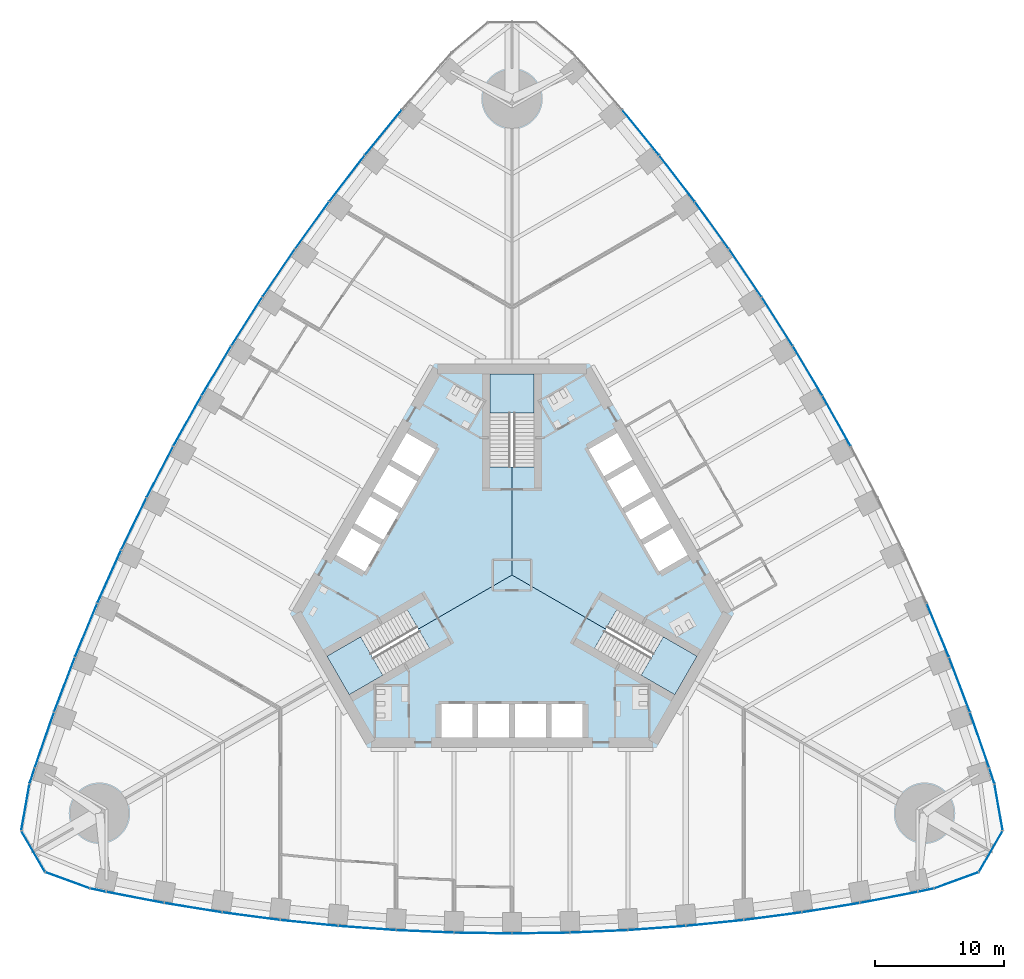
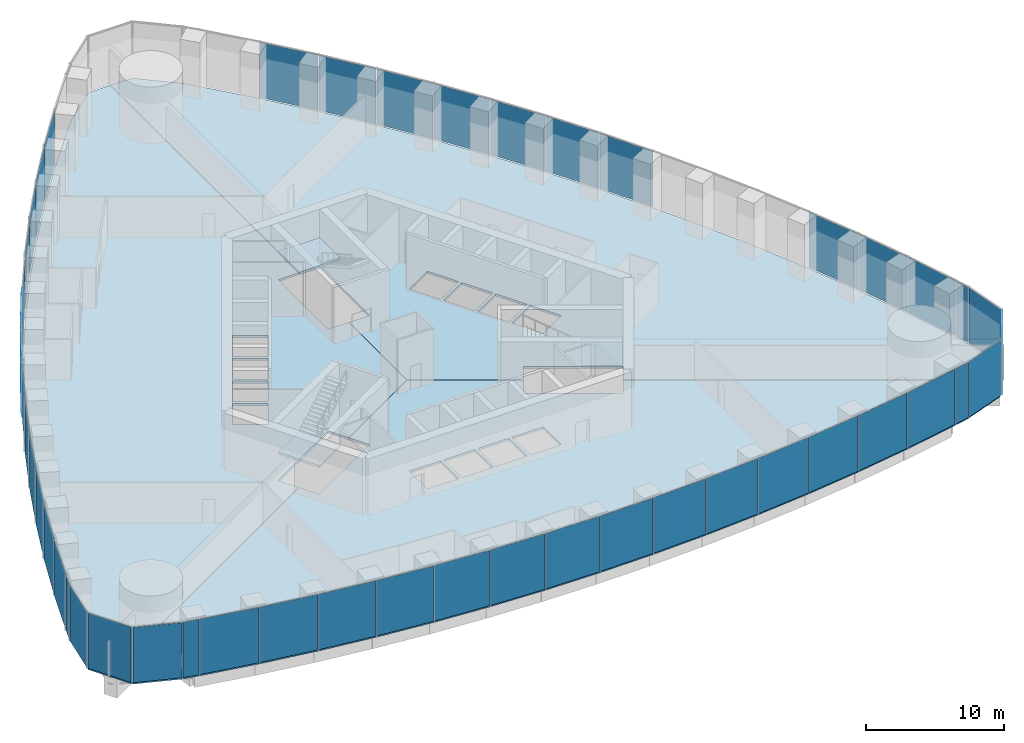
# One storey, part 13 of 21: 47 plates, 6 slabs, 8 elements without a shape of their own.
"""IFC4 building model written with IfcOpenShell, lengths in metres."""

from ifc_helpers import new_model, si_unit, direction, frame, origin, origin_2d, place, context, subcontext, project, spatial, polyline, rectangle, outline, extrude, material, layer, layer_set, type_object, element, aggregate, save


model = new_model("IFC4")

# Units and contexts
model_context = context("Model", 3, precision=1e-05, world=origin(), true_north=direction((0.0, 1.0)))
body_context = subcontext(model_context, "Body", "Model", "MODEL_VIEW")
ifc_project = project(units=[si_unit("LENGTHUNIT", "METRE"), si_unit("AREAUNIT", "SQUARE_METRE"), si_unit("VOLUMEUNIT", "CUBIC_METRE"), si_unit("PLANEANGLEUNIT", "RADIAN"), si_unit("MASSUNIT", "GRAM", prefix="KILO")], contexts=[model_context])

# Site, building, storey
site_placement = place(None, origin())
site = spatial("IfcSite", under=ifc_project, at=site_placement, CompositionType="ELEMENT")
building_placement = place(site_placement, origin())
building = spatial("IfcBuilding", under=site, at=building_placement, Name="Trefoil Bronze Tower", CompositionType="ELEMENT")
storey_placement = place(building_placement, frame((0.0, 0.0, 11.5)))
storey = spatial("IfcBuildingStorey", under=building, at=storey_placement, Name="L02", CompositionType="ELEMENT", Elevation=11.5)

# Curtain wall, plates
ifc_material_1 = material(Name="Tinted solar-control glass", Category="glass")
curtain_wall_type_1 = type_object("IfcCurtainWallType", Name="Bronze podium storefront curtain wall", PredefinedType="USERDEFINED", material=ifc_material_1)
curtain_wall_1_placement = place(storey_placement, origin())
curtain_wall_1 = element("IfcCurtainWall", 1, at=curtain_wall_1_placement, inside=storey, type_object=curtain_wall_type_1, Name="CW-C L02 F1", ObjectType="CURTAIN WALL", PredefinedType="USERDEFINED")
ifc_material_2 = material(Name="Tinted solar-control glass", Category="glass")
ifc_layer_1 = layer(ifc_material_2, 0.030029296875)
ifc_layer_set_1 = layer_set([ifc_layer_1], Name="Bronze podium storefront curtain wall glass panel")
plate_type_1 = type_object("IfcPlateType", Name="Bronze podium storefront curtain wall glass panel", PredefinedType="CURTAIN_PANEL", material=ifc_layer_set_1)
plate_1_placement = place(storey_placement, frame((-32.15185546875, -24.480224609375, 0.0), z_axis=(0.0, 0.0, 1.0), x_axis=(0.978302717041, -0.207180582657, 0.0)))
plate_1 = element("IfcPlate", 2, at=plate_1_placement, type_object=plate_type_1, Name="CW-C L02 F1 panel 1", PredefinedType="CURTAIN_PANEL", context=body_context, shape_type="SweptSolid", body=[
    extrude(rectangle(XDim=1.23046875, YDim=0.030029296875, at=origin_2d()), origin(), (0.0, 0.0, 1.0), 4.8798828125),
])
plate_2_placement = place(storey_placement, frame((-29.268798828125, -25.04638671875, 0.0), z_axis=(0.0, 0.0, 1.0), x_axis=(0.982049823817, -0.188621694249, 0.0)))
plate_2 = element("IfcPlate", 3, at=plate_2_placement, type_object=plate_type_1, Name="CW-C L02 F1 panel 2", PredefinedType="CURTAIN_PANEL", context=body_context, shape_type="SweptSolid", body=[
    extrude(rectangle(XDim=4.522216796875, YDim=0.030029296875, at=origin_2d()), origin(), (0.0, 0.0, 1.0), 4.8798828125),
])
plate_3_placement = place(storey_placement, frame((-24.765869140625, -25.8427734375, 0.0), z_axis=(0.0, 0.0, 1.0), x_axis=(0.987181315145, -0.159602791421, 0.0)))
plate_3 = element("IfcPlate", 4, at=plate_3_placement, type_object=plate_type_1, Name="CW-C L02 F1 panel 3", PredefinedType="CURTAIN_PANEL", context=body_context, shape_type="SweptSolid", body=[
    extrude(rectangle(XDim=4.49853515625, YDim=0.030029296875, at=origin_2d()), origin(), (0.0, 0.0, 1.0), 4.8798828125),
])
plate_4_placement = place(storey_placement, frame((-20.262939453125, -26.50341796875, 0.0), z_axis=(0.0, 0.0, 1.0), x_axis=(0.991437251591, -0.130583981243, 0.0)))
plate_4 = element("IfcPlate", 5, at=plate_4_placement, type_object=plate_type_1, Name="CW-C L02 F1 panel 4", PredefinedType="CURTAIN_PANEL", context=body_context, shape_type="SweptSolid", body=[
    extrude(rectangle(XDim=4.478759765625, YDim=0.030029296875, at=origin_2d()), origin(), (0.0, 0.0, 1.0), 4.8798828125),
])
plate_5_placement = place(storey_placement, frame((-15.76025390625, -27.02978515625, 0.0), z_axis=(0.0, 0.0, 1.0), x_axis=(0.994828880293, -0.101565244717, 0.0)))
plate_5 = element("IfcPlate", 6, at=plate_5_placement, type_object=plate_type_1, Name="CW-C L02 F1 panel 5", PredefinedType="CURTAIN_PANEL", context=body_context, shape_type="SweptSolid", body=[
    extrude(rectangle(XDim=4.46337890625, YDim=0.030029296875, at=origin_2d()), origin(), (0.0, 0.0, 1.0), 4.8798828125),
])
plate_6_placement = place(storey_placement, frame((-11.25732421875, -27.42333984375, 0.0), z_axis=(0.0, 0.0, 1.0), x_axis=(0.99736502647, -0.072546564177, 0.0)))
plate_6 = element("IfcPlate", 7, at=plate_6_placement, type_object=plate_type_1, Name="CW-C L02 F1 panel 6", PredefinedType="CURTAIN_PANEL", context=body_context, shape_type="SweptSolid", body=[
    extrude(rectangle(XDim=4.451904296875, YDim=0.030029296875, at=origin_2d()), origin(), (0.0, 0.0, 1.0), 4.8798828125),
])
plate_7_placement = place(storey_placement, frame((-6.75439453125, -27.685302734375, 0.0), z_axis=(0.0, 0.0, 1.0), x_axis=(0.999052210809, -0.043527922969, 0.0)))
plate_7 = element("IfcPlate", 8, at=plate_7_placement, type_object=plate_type_1, Name="CW-C L02 F1 panel 7", PredefinedType="CURTAIN_PANEL", context=body_context, shape_type="SweptSolid", body=[
    extrude(rectangle(XDim=4.4443359375, YDim=0.030029296875, at=origin_2d()), origin(), (0.0, 0.0, 1.0), 4.8798828125),
])
plate_8_placement = place(storey_placement, frame((-2.25146484375, -27.816162109375, 0.0), z_axis=(0.0, 0.0, 1.0), x_axis=(0.999894734493, -0.014509305083, 0.0)))
plate_8 = element("IfcPlate", 9, at=plate_8_placement, type_object=plate_type_1, Name="CW-C L02 F1 panel 8", PredefinedType="CURTAIN_PANEL", context=body_context, shape_type="SweptSolid", body=[
    extrude(rectangle(XDim=4.4404296875, YDim=0.030029296875, at=origin_2d()), origin(), (0.0, 0.0, 1.0), 4.8798828125),
])
plate_9_placement = place(storey_placement, frame((2.25146484375, -27.816162109375, 0.0), z_axis=(0.0, 0.0, 1.0), x_axis=(0.999894734493, 0.014509305083, 0.0)))
plate_9 = element("IfcPlate", 10, at=plate_9_placement, type_object=plate_type_1, Name="CW-C L02 F1 panel 9", PredefinedType="CURTAIN_PANEL", context=body_context, shape_type="SweptSolid", body=[
    extrude(rectangle(XDim=4.4404296875, YDim=0.030029296875, at=origin_2d()), origin(), (0.0, 0.0, 1.0), 4.8798828125),
])
plate_10_placement = place(storey_placement, frame((6.75439453125, -27.685302734375, 0.0), z_axis=(0.0, 0.0, 1.0), x_axis=(0.999052210809, 0.043527922969, 0.0)))
plate_10 = element("IfcPlate", 11, at=plate_10_placement, type_object=plate_type_1, Name="CW-C L02 F1 panel 10", PredefinedType="CURTAIN_PANEL", context=body_context, shape_type="SweptSolid", body=[
    extrude(rectangle(XDim=4.4443359375, YDim=0.030029296875, at=origin_2d()), origin(), (0.0, 0.0, 1.0), 4.8798828125),
])
plate_11_placement = place(storey_placement, frame((11.25732421875, -27.42333984375, 0.0), z_axis=(0.0, 0.0, 1.0), x_axis=(0.99736502647, 0.072546564177, 0.0)))
plate_11 = element("IfcPlate", 12, at=plate_11_placement, type_object=plate_type_1, Name="CW-C L02 F1 panel 11", PredefinedType="CURTAIN_PANEL", context=body_context, shape_type="SweptSolid", body=[
    extrude(rectangle(XDim=4.451904296875, YDim=0.030029296875, at=origin_2d()), origin(), (0.0, 0.0, 1.0), 4.8798828125),
])
plate_12_placement = place(storey_placement, frame((15.76025390625, -27.02978515625, 0.0), z_axis=(0.0, 0.0, 1.0), x_axis=(0.994828880293, 0.101565244717, 0.0)))
plate_12 = element("IfcPlate", 13, at=plate_12_placement, type_object=plate_type_1, Name="CW-C L02 F1 panel 12", PredefinedType="CURTAIN_PANEL", context=body_context, shape_type="SweptSolid", body=[
    extrude(rectangle(XDim=4.46337890625, YDim=0.030029296875, at=origin_2d()), origin(), (0.0, 0.0, 1.0), 4.8798828125),
])
plate_13_placement = place(storey_placement, frame((20.262939453125, -26.50341796875, 0.0), z_axis=(0.0, 0.0, 1.0), x_axis=(0.991437251591, 0.130583981243, 0.0)))
plate_13 = element("IfcPlate", 14, at=plate_13_placement, type_object=plate_type_1, Name="CW-C L02 F1 panel 13", PredefinedType="CURTAIN_PANEL", context=body_context, shape_type="SweptSolid", body=[
    extrude(rectangle(XDim=4.478759765625, YDim=0.030029296875, at=origin_2d()), origin(), (0.0, 0.0, 1.0), 4.8798828125),
])
plate_14_placement = place(storey_placement, frame((24.765869140625, -25.8427734375, 0.0), z_axis=(0.0, 0.0, 1.0), x_axis=(0.987181315145, 0.159602791421, 0.0)))
plate_14 = element("IfcPlate", 15, at=plate_14_placement, type_object=plate_type_1, Name="CW-C L02 F1 panel 14", PredefinedType="CURTAIN_PANEL", context=body_context, shape_type="SweptSolid", body=[
    extrude(rectangle(XDim=4.49853515625, YDim=0.030029296875, at=origin_2d()), origin(), (0.0, 0.0, 1.0), 4.8798828125),
])
plate_15_placement = place(storey_placement, frame((29.268798828125, -25.04638671875, 0.0), z_axis=(0.0, 0.0, 1.0), x_axis=(0.982049823817, 0.188621694249, 0.0)))
plate_15 = element("IfcPlate", 16, at=plate_15_placement, type_object=plate_type_1, Name="CW-C L02 F1 panel 15", PredefinedType="CURTAIN_PANEL", context=body_context, shape_type="SweptSolid", body=[
    extrude(rectangle(XDim=4.522216796875, YDim=0.030029296875, at=origin_2d()), origin(), (0.0, 0.0, 1.0), 4.8798828125),
])
plate_16_placement = place(storey_placement, frame((32.15185546875, -24.480224609375, 0.0), z_axis=(0.0, 0.0, 1.0), x_axis=(0.978302717041, 0.207180582657, 0.0)))
plate_16 = element("IfcPlate", 17, at=plate_16_placement, type_object=plate_type_1, Name="CW-C L02 F1 panel 16", PredefinedType="CURTAIN_PANEL", context=body_context, shape_type="SweptSolid", body=[
    extrude(rectangle(XDim=1.23046875, YDim=0.030029296875, at=origin_2d()), origin(), (0.0, 0.0, 1.0), 4.8798828125),
])
aggregate(curtain_wall_1, [plate_1, plate_2, plate_3, plate_4, plate_5, plate_6, plate_7, plate_8, plate_9, plate_10, plate_11, plate_12, plate_13, plate_14, plate_15, plate_16])

curtain_wall_2_placement = place(storey_placement, origin())
curtain_wall_2 = element("IfcCurtainWall", 18, at=curtain_wall_2_placement, inside=storey, type_object=curtain_wall_type_1, Name="CW-C L02 F2", ObjectType="CURTAIN WALL", PredefinedType="USERDEFINED")
plate_17_placement = place(storey_placement, frame((37.2763671875, -15.604248046875, 0.0), z_axis=(0.0, 0.0, 1.0), x_axis=(-0.309727710769, 0.950825296877, 0.0)))
plate_17 = element("IfcPlate", 19, at=plate_17_placement, type_object=plate_type_1, Name="CW-C L02 F2 panel 1", PredefinedType="CURTAIN_PANEL", context=body_context, shape_type="SweptSolid", body=[
    extrude(rectangle(XDim=1.23046875, YDim=0.030029296875, at=origin_2d()), origin(), (0.0, 0.0, 1.0), 4.8798828125),
])
plate_18_placement = place(storey_placement, frame((36.3251953125, -12.824462890625, 0.0), z_axis=(0.0, 0.0, 1.0), x_axis=(-0.327673732984, 0.944790942332, 0.0)))
plate_18 = element("IfcPlate", 20, at=plate_18_placement, type_object=plate_type_1, Name="CW-C L02 F2 panel 2", PredefinedType="CURTAIN_PANEL", context=body_context, shape_type="SweptSolid", body=[
    extrude(rectangle(XDim=4.522216796875, YDim=0.030029296875, at=origin_2d()), origin(), (0.0, 0.0, 1.0), 4.8798828125),
])
plate_19_placement = place(storey_placement, frame((34.763427734375, -8.526611328125, 0.0), z_axis=(0.0, 0.0, 1.0), x_axis=(-0.355370585687, 0.934725492767, 0.0)))
plate_19 = element("IfcPlate", 21, at=plate_19_placement, type_object=plate_type_1, Name="CW-C L02 F2 panel 3", PredefinedType="CURTAIN_PANEL", context=body_context, shape_type="SweptSolid", body=[
    extrude(rectangle(XDim=4.49853515625, YDim=0.030029296875, at=origin_2d()), origin(), (0.0, 0.0, 1.0), 4.8798828125),
])
plate_20_placement = place(storey_placement, frame((33.084228515625, -4.296630859375, 0.0), z_axis=(0.0, 0.0, 1.0), x_axis=(-0.382629580712, 0.923901836758, 0.0)))
plate_20 = element("IfcPlate", 22, at=plate_20_placement, type_object=plate_type_1, Name="CW-C L02 F2 panel 4", PredefinedType="CURTAIN_PANEL", context=body_context, shape_type="SweptSolid", body=[
    extrude(rectangle(XDim=4.478759765625, YDim=0.030029296875, at=origin_2d()), origin(), (0.0, 0.0, 1.0), 4.8798828125),
])
plate_21_placement = place(storey_placement, frame((25.215087890625, 11.958251953125, 0.0), z_axis=(0.0, 0.0, 1.0), x_axis=(-0.487381940453, 0.873188893722, 0.0)))
plate_21 = element("IfcPlate", 23, at=plate_21_placement, type_object=plate_type_1, Name="CW-C L02 F2 panel 8", PredefinedType="CURTAIN_PANEL", context=body_context, shape_type="SweptSolid", body=[
    extrude(rectangle(XDim=4.4404296875, YDim=0.030029296875, at=origin_2d()), origin(), (0.0, 0.0, 1.0), 4.8798828125),
])
plate_22_placement = place(storey_placement, frame((22.963623046875, 15.85791015625, 0.0), z_axis=(0.0, 0.0, 1.0), x_axis=(-0.51251279404, 0.858679588639, 0.0)))
plate_22 = element("IfcPlate", 24, at=plate_22_placement, type_object=plate_type_1, Name="CW-C L02 F2 panel 9", PredefinedType="CURTAIN_PANEL", context=body_context, shape_type="SweptSolid", body=[
    extrude(rectangle(XDim=4.4404296875, YDim=0.030029296875, at=origin_2d()), origin(), (0.0, 0.0, 1.0), 4.8798828125),
])
plate_23_placement = place(storey_placement, frame((20.598876953125, 19.692138671875, 0.0), z_axis=(0.0, 0.0, 1.0), x_axis=(-0.537222392469, 0.843440632783, 0.0)))
plate_23 = element("IfcPlate", 25, at=plate_23_placement, type_object=plate_type_1, Name="CW-C L02 F2 panel 10", PredefinedType="CURTAIN_PANEL", context=body_context, shape_type="SweptSolid", body=[
    extrude(rectangle(XDim=4.4443359375, YDim=0.030029296875, at=origin_2d()), origin(), (0.0, 0.0, 1.0), 4.8798828125),
])
plate_24_placement = place(storey_placement, frame((18.120849609375, 23.460693359375, 0.0), z_axis=(0.0, 0.0, 1.0), x_axis=(-0.56150968077, 0.827470167681, 0.0)))
plate_24 = element("IfcPlate", 26, at=plate_24_placement, type_object=plate_type_1, Name="CW-C L02 F2 panel 11", PredefinedType="CURTAIN_PANEL", context=body_context, shape_type="SweptSolid", body=[
    extrude(rectangle(XDim=4.451904296875, YDim=0.030029296875, at=origin_2d()), origin(), (0.0, 0.0, 1.0), 4.8798828125),
])
plate_25_placement = place(storey_placement, frame((15.5283203125, 27.16357421875, 0.0), z_axis=(0.0, 0.0, 1.0), x_axis=(-0.585372522213, 0.810764460394, 0.0)))
plate_25 = element("IfcPlate", 27, at=plate_25_placement, type_object=plate_type_1, Name="CW-C L02 F2 panel 12", PredefinedType="CURTAIN_PANEL", context=body_context, shape_type="SweptSolid", body=[
    extrude(rectangle(XDim=4.46337890625, YDim=0.030029296875, at=origin_2d()), origin(), (0.0, 0.0, 1.0), 4.8798828125),
])
plate_26_placement = place(storey_placement, frame((12.821044921875, 30.800048828125, 0.0), z_axis=(0.0, 0.0, 1.0), x_axis=(-0.608807670879, 0.793317855515, 0.0)))
plate_26 = element("IfcPlate", 28, at=plate_26_placement, type_object=plate_type_1, Name="CW-C L02 F2 panel 13", PredefinedType="CURTAIN_PANEL", context=body_context, shape_type="SweptSolid", body=[
    extrude(rectangle(XDim=4.478759765625, YDim=0.030029296875, at=origin_2d()), origin(), (0.0, 0.0, 1.0), 4.8798828125),
])
plate_27_placement = place(storey_placement, frame((9.99755859375, 34.369384765625, 0.0), z_axis=(0.0, 0.0, 1.0), x_axis=(-0.631810729457, 0.775122701346, 0.0)))
plate_27 = element("IfcPlate", 29, at=plate_27_placement, type_object=plate_type_1, Name="CW-C L02 F2 panel 14", PredefinedType="CURTAIN_PANEL", context=body_context, shape_type="SweptSolid", body=[
    extrude(rectangle(XDim=4.49853515625, YDim=0.030029296875, at=origin_2d()), origin(), (0.0, 0.0, 1.0), 4.8798828125),
])
aggregate(curtain_wall_2, [plate_17, plate_18, plate_19, plate_20, plate_21, plate_22, plate_23, plate_24, plate_25, plate_26, plate_27])

curtain_wall_3_placement = place(storey_placement, origin())
curtain_wall_3 = element("IfcCurtainWall", 30, at=curtain_wall_3_placement, inside=storey, type_object=curtain_wall_type_1, Name="CW-C L02 F3", ObjectType="CURTAIN WALL", PredefinedType="USERDEFINED")
plate_28_placement = place(storey_placement, frame((-9.99755859375, 34.369384765625, 0.0), z_axis=(0.0, 0.0, 1.0), x_axis=(-0.631810729457, -0.775122701346, 0.0)))
plate_28 = element("IfcPlate", 31, at=plate_28_placement, type_object=plate_type_1, Name="CW-C L02 F3 panel 3", PredefinedType="CURTAIN_PANEL", context=body_context, shape_type="SweptSolid", body=[
    extrude(rectangle(XDim=4.49853515625, YDim=0.030029296875, at=origin_2d()), origin(), (0.0, 0.0, 1.0), 4.8798828125),
])
plate_29_placement = place(storey_placement, frame((-12.821044921875, 30.800048828125, 0.0), z_axis=(0.0, 0.0, 1.0), x_axis=(-0.608807670879, -0.793317855515, 0.0)))
plate_29 = element("IfcPlate", 32, at=plate_29_placement, type_object=plate_type_1, Name="CW-C L02 F3 panel 4", PredefinedType="CURTAIN_PANEL", context=body_context, shape_type="SweptSolid", body=[
    extrude(rectangle(XDim=4.478759765625, YDim=0.030029296875, at=origin_2d()), origin(), (0.0, 0.0, 1.0), 4.8798828125),
])
plate_30_placement = place(storey_placement, frame((-15.5283203125, 27.16357421875, 0.0), z_axis=(0.0, 0.0, 1.0), x_axis=(-0.585372522213, -0.810764460394, 0.0)))
plate_30 = element("IfcPlate", 33, at=plate_30_placement, type_object=plate_type_1, Name="CW-C L02 F3 panel 5", PredefinedType="CURTAIN_PANEL", context=body_context, shape_type="SweptSolid", body=[
    extrude(rectangle(XDim=4.46337890625, YDim=0.030029296875, at=origin_2d()), origin(), (0.0, 0.0, 1.0), 4.8798828125),
])
plate_31_placement = place(storey_placement, frame((-18.120849609375, 23.460693359375, 0.0), z_axis=(0.0, 0.0, 1.0), x_axis=(-0.56150968077, -0.827470167681, 0.0)))
plate_31 = element("IfcPlate", 34, at=plate_31_placement, type_object=plate_type_1, Name="CW-C L02 F3 panel 6", PredefinedType="CURTAIN_PANEL", context=body_context, shape_type="SweptSolid", body=[
    extrude(rectangle(XDim=4.451904296875, YDim=0.030029296875, at=origin_2d()), origin(), (0.0, 0.0, 1.0), 4.8798828125),
])
plate_32_placement = place(storey_placement, frame((-20.598876953125, 19.692138671875, 0.0), z_axis=(0.0, 0.0, 1.0), x_axis=(-0.537222392469, -0.843440632783, 0.0)))
plate_32 = element("IfcPlate", 35, at=plate_32_placement, type_object=plate_type_1, Name="CW-C L02 F3 panel 7", PredefinedType="CURTAIN_PANEL", context=body_context, shape_type="SweptSolid", body=[
    extrude(rectangle(XDim=4.4443359375, YDim=0.030029296875, at=origin_2d()), origin(), (0.0, 0.0, 1.0), 4.8798828125),
])
plate_33_placement = place(storey_placement, frame((-22.963623046875, 15.85791015625, 0.0), z_axis=(0.0, 0.0, 1.0), x_axis=(-0.51251279404, -0.858679588639, 0.0)))
plate_33 = element("IfcPlate", 36, at=plate_33_placement, type_object=plate_type_1, Name="CW-C L02 F3 panel 8", PredefinedType="CURTAIN_PANEL", context=body_context, shape_type="SweptSolid", body=[
    extrude(rectangle(XDim=4.4404296875, YDim=0.030029296875, at=origin_2d()), origin(), (0.0, 0.0, 1.0), 4.8798828125),
])
plate_34_placement = place(storey_placement, frame((-25.215087890625, 11.958251953125, 0.0), z_axis=(0.0, 0.0, 1.0), x_axis=(-0.487381940453, -0.873188893722, 0.0)))
plate_34 = element("IfcPlate", 37, at=plate_34_placement, type_object=plate_type_1, Name="CW-C L02 F3 panel 9", PredefinedType="CURTAIN_PANEL", context=body_context, shape_type="SweptSolid", body=[
    extrude(rectangle(XDim=4.4404296875, YDim=0.030029296875, at=origin_2d()), origin(), (0.0, 0.0, 1.0), 4.8798828125),
])
plate_35_placement = place(storey_placement, frame((-27.353271484375, 7.9931640625, 0.0), z_axis=(0.0, 0.0, 1.0), x_axis=(-0.46182981834, -0.886968555752, 0.0)))
plate_35 = element("IfcPlate", 38, at=plate_35_placement, type_object=plate_type_1, Name="CW-C L02 F3 panel 10", PredefinedType="CURTAIN_PANEL", context=body_context, shape_type="SweptSolid", body=[
    extrude(rectangle(XDim=4.4443359375, YDim=0.030029296875, at=origin_2d()), origin(), (0.0, 0.0, 1.0), 4.8798828125),
])
plate_36_placement = place(storey_placement, frame((-29.3779296875, 3.962646484375, 0.0), z_axis=(0.0, 0.0, 1.0), x_axis=(-0.4358553457, -0.900016731858, 0.0)))
plate_36 = element("IfcPlate", 39, at=plate_36_placement, type_object=plate_type_1, Name="CW-C L02 F3 panel 11", PredefinedType="CURTAIN_PANEL", context=body_context, shape_type="SweptSolid", body=[
    extrude(rectangle(XDim=4.451904296875, YDim=0.030029296875, at=origin_2d()), origin(), (0.0, 0.0, 1.0), 4.8798828125),
])
plate_37_placement = place(storey_placement, frame((-31.28857421875, -0.1337890625, 0.0), z_axis=(0.0, 0.0, 1.0), x_axis=(-0.40945635808, -0.912329705111, 0.0)))
plate_37 = element("IfcPlate", 40, at=plate_37_placement, type_object=plate_type_1, Name="CW-C L02 F3 panel 12", PredefinedType="CURTAIN_PANEL", context=body_context, shape_type="SweptSolid", body=[
    extrude(rectangle(XDim=4.46337890625, YDim=0.030029296875, at=origin_2d()), origin(), (0.0, 0.0, 1.0), 4.8798828125),
])
plate_38_placement = place(storey_placement, frame((-33.084228515625, -4.296630859375, 0.0), z_axis=(0.0, 0.0, 1.0), x_axis=(-0.382629580712, -0.923901836758, 0.0)))
plate_38 = element("IfcPlate", 41, at=plate_38_placement, type_object=plate_type_1, Name="CW-C L02 F3 panel 13", PredefinedType="CURTAIN_PANEL", context=body_context, shape_type="SweptSolid", body=[
    extrude(rectangle(XDim=4.478759765625, YDim=0.030029296875, at=origin_2d()), origin(), (0.0, 0.0, 1.0), 4.8798828125),
])
plate_39_placement = place(storey_placement, frame((-34.763427734375, -8.526611328125, 0.0), z_axis=(0.0, 0.0, 1.0), x_axis=(-0.355370585687, -0.934725492767, 0.0)))
plate_39 = element("IfcPlate", 42, at=plate_39_placement, type_object=plate_type_1, Name="CW-C L02 F3 panel 14", PredefinedType="CURTAIN_PANEL", context=body_context, shape_type="SweptSolid", body=[
    extrude(rectangle(XDim=4.49853515625, YDim=0.030029296875, at=origin_2d()), origin(), (0.0, 0.0, 1.0), 4.8798828125),
])
plate_40_placement = place(storey_placement, frame((-36.3251953125, -12.824462890625, 0.0), z_axis=(0.0, 0.0, 1.0), x_axis=(-0.327673732984, -0.944790942332, 0.0)))
plate_40 = element("IfcPlate", 43, at=plate_40_placement, type_object=plate_type_1, Name="CW-C L02 F3 panel 15", PredefinedType="CURTAIN_PANEL", context=body_context, shape_type="SweptSolid", body=[
    extrude(rectangle(XDim=4.522216796875, YDim=0.030029296875, at=origin_2d()), origin(), (0.0, 0.0, 1.0), 4.8798828125),
])
plate_41_placement = place(storey_placement, frame((-37.2763671875, -15.604248046875, 0.0), z_axis=(0.0, 0.0, 1.0), x_axis=(-0.309727710769, -0.950825296877, 0.0)))
plate_41 = element("IfcPlate", 44, at=plate_41_placement, type_object=plate_type_1, Name="CW-C L02 F3 panel 16", PredefinedType="CURTAIN_PANEL", context=body_context, shape_type="SweptSolid", body=[
    extrude(rectangle(XDim=1.23046875, YDim=0.030029296875, at=origin_2d()), origin(), (0.0, 0.0, 1.0), 4.8798828125),
])
aggregate(curtain_wall_3, [plate_28, plate_29, plate_30, plate_31, plate_32, plate_33, plate_34, plate_35, plate_36, plate_37, plate_38, plate_39, plate_40, plate_41])

ifc_material_3 = material(Name="Tinted solar-control glass", Category="glass")
curtain_wall_type_2 = type_object("IfcCurtainWallType", Name="Bronze rounded corner curtain wall", PredefinedType="USERDEFINED", material=ifc_material_3)
curtain_wall_4_placement = place(storey_placement, origin())
curtain_wall_4 = element("IfcCurtainWall", 45, at=curtain_wall_4_placement, inside=storey, type_object=curtain_wall_type_2, Name="CW-B L02 K1", ObjectType="CURTAIN WALL", PredefinedType="USERDEFINED")
ifc_material_4 = material(Name="Tinted solar-control glass", Category="glass")
ifc_layer_2 = layer(ifc_material_4, 0.030029296875)
ifc_layer_set_2 = layer_set([ifc_layer_2], Name="Bronze rounded corner curtain wall glass panel")
plate_type_2 = type_object("IfcPlateType", Name="Bronze rounded corner curtain wall glass panel", PredefinedType="CURTAIN_PANEL", material=ifc_layer_set_2)
plate_42_placement = place(storey_placement, frame((34.5107421875, -23.71875, 0.0), z_axis=(0.0, 0.0, 1.0), x_axis=(0.939692620786, 0.342020143326, 0.0)))
plate_42 = element("IfcPlate", 46, at=plate_42_placement, type_object=plate_type_2, Name="CW-B L02 K1 panel 1", PredefinedType="CURTAIN_PANEL", context=body_context, shape_type="SweptSolid", body=[
    extrude(rectangle(XDim=3.588134765625, YDim=0.030029296875, at=origin_2d()), origin(), (0.0, 0.0, 1.0), 4.8798828125),
])
plate_43_placement = place(storey_placement, frame((37.189208984375, -21.47119140625, 0.0), z_axis=(0.0, 0.0, 1.0), x_axis=(0.5, 0.866025403784, 0.0)))
plate_43 = element("IfcPlate", 47, at=plate_43_placement, type_object=plate_type_2, Name="CW-B L02 K1 panel 2", PredefinedType="CURTAIN_PANEL", context=body_context, shape_type="SweptSolid", body=[
    extrude(rectangle(XDim=3.588134765625, YDim=0.030029296875, at=origin_2d()), origin(), (0.0, 0.0, 1.0), 4.8798828125),
])
plate_44_placement = place(storey_placement, frame((37.79638671875, -18.02783203125, 0.0), z_axis=(0.0, 0.0, 1.0), x_axis=(-0.173648177667, 0.984807753012, 0.0)))
plate_44 = element("IfcPlate", 48, at=plate_44_placement, type_object=plate_type_2, Name="CW-B L02 K1 panel 3", PredefinedType="CURTAIN_PANEL", context=body_context, shape_type="SweptSolid", body=[
    extrude(rectangle(XDim=3.588134765625, YDim=0.030029296875, at=origin_2d()), origin(), (0.0, 0.0, 1.0), 4.8798828125),
])
aggregate(curtain_wall_4, [plate_42, plate_43, plate_44])

curtain_wall_5_placement = place(storey_placement, origin())
curtain_wall_5 = element("IfcCurtainWall", 49, at=curtain_wall_5_placement, inside=storey, type_object=curtain_wall_type_2, Name="CW-B L02 K3", ObjectType="CURTAIN WALL", PredefinedType="USERDEFINED")
plate_45_placement = place(storey_placement, frame((-37.79638671875, -18.02783203125, 0.0), z_axis=(0.0, 0.0, 1.0), x_axis=(-0.173648177667, -0.984807753012, 0.0)))
plate_45 = element("IfcPlate", 50, at=plate_45_placement, type_object=plate_type_2, Name="CW-B L02 K3 panel 1", PredefinedType="CURTAIN_PANEL", context=body_context, shape_type="SweptSolid", body=[
    extrude(rectangle(XDim=3.588134765625, YDim=0.030029296875, at=origin_2d()), origin(), (0.0, 0.0, 1.0), 4.8798828125),
])
plate_46_placement = place(storey_placement, frame((-37.189208984375, -21.47119140625, 0.0), z_axis=(0.0, 0.0, 1.0), x_axis=(0.5, -0.866025403784, 0.0)))
plate_46 = element("IfcPlate", 51, at=plate_46_placement, type_object=plate_type_2, Name="CW-B L02 K3 panel 2", PredefinedType="CURTAIN_PANEL", context=body_context, shape_type="SweptSolid", body=[
    extrude(rectangle(XDim=3.588134765625, YDim=0.030029296875, at=origin_2d()), origin(), (0.0, 0.0, 1.0), 4.8798828125),
])
plate_47_placement = place(storey_placement, frame((-34.5107421875, -23.71875, 0.0), z_axis=(0.0, 0.0, 1.0), x_axis=(0.939692620786, -0.342020143326, 0.0)))
plate_47 = element("IfcPlate", 52, at=plate_47_placement, type_object=plate_type_2, Name="CW-B L02 K3 panel 3", PredefinedType="CURTAIN_PANEL", context=body_context, shape_type="SweptSolid", body=[
    extrude(rectangle(XDim=3.588134765625, YDim=0.030029296875, at=origin_2d()), origin(), (0.0, 0.0, 1.0), 4.8798828125),
])
aggregate(curtain_wall_5, [plate_45, plate_46, plate_47])

# Slabs
ifc_material_5 = material(Name="Concrete B30", Category="concrete")
ifc_layer_3 = layer(ifc_material_5, 0.199951171875)
ifc_layer_set_3 = layer_set([ifc_layer_3], Name="Floor slab 200")
slab_type_1 = type_object("IfcSlabType", Name="Floor slab 200", PredefinedType="FLOOR", material=ifc_layer_set_3)
slab_1_placement = place(storey_placement, frame((0.0, 0.0, -0.199951171875)))
element("IfcSlab", 53, at=slab_1_placement, inside=storey, type_object=slab_type_1, Name="Floor slab L02 face 1", PredefinedType="FLOOR", context=body_context, shape_type="SweptSolid", body=[
    extrude(outline(polyline([(27.0, -25.38037109375), (22.5, -26.10791015625), (18.0, -26.70068359375), (13.5, -27.159912109375), (9.0, -27.4873046875), (4.5, -27.683349609375), (0.0, -27.748779296875), (-4.5, -27.683349609375), (-9.0, -27.4873046875), (-13.5, -27.159912109375), (-18.0, -26.70068359375), (-22.5, -26.10791015625), (-27.0, -25.38037109375), (-31.5, -24.51611328125), (-32.762451171875, -24.248779296875), (-36.190673828125, -23.0009765625), (-37.1025390625, -21.421142578125), (-13.510009765625, -7.800048828125), (-12.6474609375, -9.2939453125), (-6.412109375, -5.69384765625), (-7.274658203125, -4.199951171875), (0.0, 0.0), (7.274658203125, -4.199951171875), (6.412109375, -5.69384765625), (12.6474609375, -9.2939453125), (13.510009765625, -7.800048828125), (37.1025390625, -21.421142578125), (36.190673828125, -23.0009765625), (32.762451171875, -24.248779296875), (31.5, -24.51611328125), (27.0, -25.38037109375)]), holes=[polyline([(-5.574951171875, -10.02490234375), (-2.97509765625, -10.02490234375), (-2.97509765625, -12.60009765625), (-5.574951171875, -12.60009765625), (-5.574951171875, -10.02490234375)]), polyline([(-2.72509765625, -10.02490234375), (-0.125, -10.02490234375), (-0.125, -12.60009765625), (-2.72509765625, -12.60009765625), (-2.72509765625, -10.02490234375)]), polyline([(0.125, -10.02490234375), (2.72509765625, -10.02490234375), (2.72509765625, -12.60009765625), (0.125, -12.60009765625), (0.125, -10.02490234375)]), polyline([(2.97509765625, -10.02490234375), (5.574951171875, -10.02490234375), (5.574951171875, -12.60009765625), (2.97509765625, -12.60009765625), (2.97509765625, -10.02490234375)])]), origin(), (0.0, 0.0, 1.0), 0.199951171875),
])
slab_2_placement = place(storey_placement, frame((0.0, 0.0, -0.199951171875)))
element("IfcSlab", 54, at=slab_2_placement, inside=storey, type_object=slab_type_1, Name="Floor slab L02 face 2", PredefinedType="FLOOR", context=body_context, shape_type="SweptSolid", body=[
    extrude(outline(polyline([(8.47998046875, 36.07275390625), (11.360107421875, 32.53955078125), (14.123291015625, 28.938720703125), (16.771240234375, 25.271240234375), (19.3046875, 21.537841796875), (21.724609375, 17.73876953125), (24.031005859375, 13.874267578125), (26.224609375, 9.944580078125), (28.3046875, 5.949462890625), (30.271240234375, 1.888671875), (32.123291015625, -2.238037109375), (33.860107421875, -6.431640625), (35.47998046875, -10.6923828125), (36.9814453125, -15.021728515625), (37.381103515625, -16.248779296875), (38.0146484375, -19.841552734375), (37.1025390625, -21.421142578125), (13.510009765625, -7.800048828125), (14.37255859375, -6.30615234375), (8.13720703125, -2.7060546875), (7.274658203125, -4.199951171875), (0.0, 0.0), (0.0, 8.39990234375), (1.72509765625, 8.39990234375), (1.72509765625, 15.60009765625), (0.0, 15.60009765625), (0.0, 42.842529296875), (1.82421875, 42.842529296875), (4.618896484375, 40.497314453125), (5.4814453125, 39.537841796875), (8.47998046875, 36.07275390625)]), holes=[polyline([(11.469482421875, 0.184326171875), (10.16943359375, 2.43603515625), (12.3994140625, 3.7236328125), (13.699462890625, 1.471923828125), (11.469482421875, 0.184326171875)]), polyline([(10.04443359375, 2.652587890625), (8.744384765625, 4.904296875), (10.974365234375, 6.191650390625), (12.2744140625, 3.940185546875), (10.04443359375, 2.652587890625)]), polyline([(8.619384765625, 5.120849609375), (7.3193359375, 7.372314453125), (9.54931640625, 8.659912109375), (10.849365234375, 6.408203125), (8.619384765625, 5.120849609375)]), polyline([(7.1943359375, 7.5888671875), (5.894287109375, 9.840576171875), (8.12451171875, 11.128173828125), (9.42431640625, 8.87646484375), (7.1943359375, 7.5888671875)])]), origin(), (0.0, 0.0, 1.0), 0.199951171875),
])
slab_3_placement = place(storey_placement, frame((0.0, 0.0, -0.199951171875)))
element("IfcSlab", 55, at=slab_3_placement, inside=storey, type_object=slab_type_1, Name="Floor slab L02 face 3", PredefinedType="FLOOR", context=body_context, shape_type="SweptSolid", body=[
    extrude(outline(polyline([(-35.47998046875, -10.6923828125), (-33.860107421875, -6.431640625), (-32.123291015625, -2.238037109375), (-30.271240234375, 1.888671875), (-28.3046875, 5.949462890625), (-26.224609375, 9.944580078125), (-24.031005859375, 13.874267578125), (-21.724609375, 17.73876953125), (-19.3046875, 21.537841796875), (-16.771240234375, 25.271240234375), (-14.123291015625, 28.938720703125), (-11.360107421875, 32.53955078125), (-8.47998046875, 36.07275390625), (-5.4814453125, 39.537841796875), (-4.618896484375, 40.497314453125), (-1.82421875, 42.842529296875), (0.0, 42.842529296875), (0.0, 15.60009765625), (-1.72509765625, 15.60009765625), (-1.72509765625, 8.39990234375), (0.0, 8.39990234375), (0.0, 0.0), (-7.274658203125, -4.199951171875), (-8.13720703125, -2.7060546875), (-14.37255859375, -6.30615234375), (-13.510009765625, -7.800048828125), (-37.1025390625, -21.421142578125), (-38.0146484375, -19.841552734375), (-37.381103515625, -16.248779296875), (-36.9814453125, -15.021728515625), (-35.47998046875, -10.6923828125)]), holes=[polyline([(-5.894287109375, 9.840576171875), (-7.1943359375, 7.5888671875), (-9.42431640625, 8.87646484375), (-8.12451171875, 11.128173828125), (-5.894287109375, 9.840576171875)]), polyline([(-7.3193359375, 7.372314453125), (-8.619384765625, 5.120849609375), (-10.849365234375, 6.408203125), (-9.54931640625, 8.659912109375), (-7.3193359375, 7.372314453125)]), polyline([(-8.744384765625, 4.904296875), (-10.04443359375, 2.652587890625), (-12.2744140625, 3.940185546875), (-10.974365234375, 6.191650390625), (-8.744384765625, 4.904296875)]), polyline([(-10.16943359375, 2.43603515625), (-11.469482421875, 0.184326171875), (-13.699462890625, 1.471923828125), (-12.3994140625, 3.7236328125), (-10.16943359375, 2.43603515625)])]), origin(), (0.0, 0.0, 1.0), 0.199951171875),
])

# Stair, slab
ifc_material_6 = material(Name="Precast concrete B80", Category="concrete")
stair_type = type_object("IfcStairType", Name="Exit stair 30 risers", PredefinedType="HALF_TURN_STAIR", material=ifc_material_6)
stair_1_placement = place(storey_placement, origin())
stair_1 = element("IfcStair", 56, at=stair_1_placement, inside=storey, type_object=stair_type, Name="Stair ST1 L02", PredefinedType="HALF_TURN_STAIR")
ifc_material_7 = material(Name="Concrete B30", Category="concrete")
ifc_layer_4 = layer(ifc_material_7, 0.199951171875)
ifc_layer_set_4 = layer_set([ifc_layer_4], Name="Stair landing 200")
slab_type_2 = type_object("IfcSlabType", Name="Stair landing 200", PredefinedType="LANDING", material=ifc_layer_set_4)
slab_4_placement = place(storey_placement, frame((0.0, 0.0, 2.300048828125)))
slab_4 = element("IfcSlab", 57, at=slab_4_placement, type_object=slab_type_2, Name="ST1 landing 1", PredefinedType="LANDING", context=body_context, shape_type="SweptSolid", body=[
    extrude(outline(polyline([(10.031982421875, -7.783935546875), (12.6474609375, -9.2939453125), (14.37255859375, -6.30615234375), (11.757080078125, -4.796142578125), (10.031982421875, -7.783935546875)])), origin(), (0.0, 0.0, 1.0), 0.199951171875),
])
aggregate(stair_1, [slab_4])

stair_2_placement = place(storey_placement, origin())
stair_2 = element("IfcStair", 58, at=stair_2_placement, inside=storey, type_object=stair_type, Name="Stair ST2 L02", PredefinedType="HALF_TURN_STAIR")
slab_5_placement = place(storey_placement, frame((0.0, 0.0, 2.300048828125)))
slab_5 = element("IfcSlab", 59, at=slab_5_placement, type_object=slab_type_2, Name="ST2 landing 1", PredefinedType="LANDING", context=body_context, shape_type="SweptSolid", body=[
    extrude(outline(polyline([(1.72509765625, 12.580078125), (1.72509765625, 15.60009765625), (-1.72509765625, 15.60009765625), (-1.72509765625, 12.580078125), (1.72509765625, 12.580078125)])), origin(), (0.0, 0.0, 1.0), 0.199951171875),
])
aggregate(stair_2, [slab_5])

stair_3_placement = place(storey_placement, origin())
stair_3 = element("IfcStair", 60, at=stair_3_placement, inside=storey, type_object=stair_type, Name="Stair ST3 L02", PredefinedType="HALF_TURN_STAIR")
slab_6_placement = place(storey_placement, frame((0.0, 0.0, 2.300048828125)))
slab_6 = element("IfcSlab", 61, at=slab_6_placement, type_object=slab_type_2, Name="ST3 landing 1", PredefinedType="LANDING", context=body_context, shape_type="SweptSolid", body=[
    extrude(outline(polyline([(-11.757080078125, -4.796142578125), (-14.37255859375, -6.30615234375), (-12.6474609375, -9.2939453125), (-10.031982421875, -7.783935546875), (-11.757080078125, -4.796142578125)])), origin(), (0.0, 0.0, 1.0), 0.199951171875),
])
aggregate(stair_3, [slab_6])

save(model, "model.ifc")
